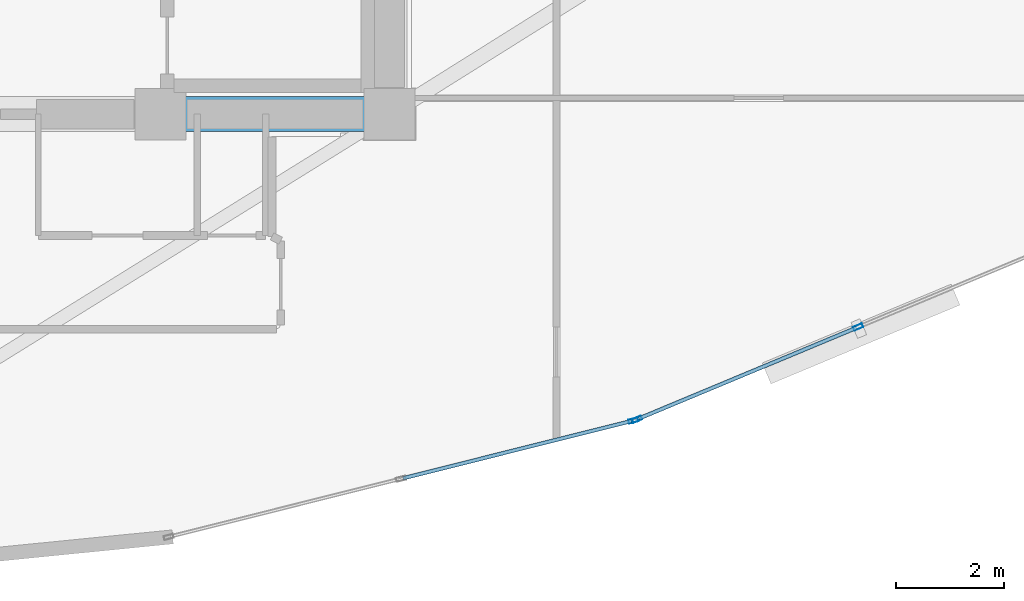
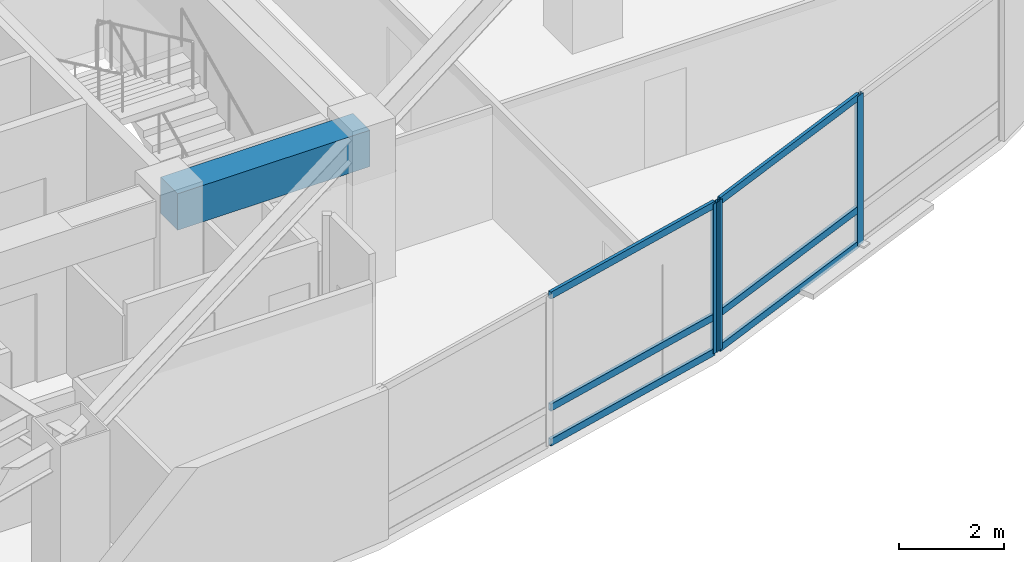
# One storey, part 5 of 17: 9 members, 1 beam, 2 elements without a shape of their own.
"""IFC4 building model written with IfcOpenShell, lengths in metres."""

from ifc_helpers import new_model, si_unit, direction, frame, origin, origin_2d, place, context, subcontext, project, spatial, rectangle, hollow_rectangle, extrude, material, layer, layer_set, material_profile, profile_set, type_object, element, aggregate, save


model = new_model("IFC4")

# Units and contexts
model_context = context("Model", 3, precision=1e-05, world=origin(), true_north=direction((0.0, 1.0)))
body_context = subcontext(model_context, "Body", "Model", "MODEL_VIEW")
ifc_project = project(units=[si_unit("LENGTHUNIT", "METRE"), si_unit("AREAUNIT", "SQUARE_METRE"), si_unit("VOLUMEUNIT", "CUBIC_METRE"), si_unit("PLANEANGLEUNIT", "RADIAN"), si_unit("MASSUNIT", "GRAM", prefix="KILO")], contexts=[model_context])

# Site, building, storey
site_placement = place(None, origin())
site = spatial("IfcSite", under=ifc_project, at=site_placement, CompositionType="ELEMENT")
building_placement = place(site_placement, origin())
building = spatial("IfcBuilding", under=site, at=building_placement, Name="Menara Vayukalpa", CompositionType="ELEMENT")
storey_placement = place(building_placement, frame((0.0, 0.0, 154.320068359375)))
storey = spatial("IfcBuildingStorey", under=building, at=storey_placement, Name="L38", CompositionType="ELEMENT", Elevation=154.320068359375)

# Beam
ifc_material_1 = material(Name="Concrete C60/75", Category="concrete")
ifc_material_profile_1 = material_profile(ifc_material_1, rectangle(XDim=0.64990234375, YDim=0.85009765625, at=origin_2d()), Name="RC 650x850")
ifc_profile_set_1 = profile_set([ifc_material_profile_1], Name="Concrete C60/75")
beam_type = type_object("IfcBeamType", Name="BM-CB1", PredefinedType="BEAM", material=ifc_profile_set_1)
beam_placement = place(storey_placement, frame((29.14990234375, 17.199951171875, 3.074951171875), z_axis=(1.0, 0.0, 0.0), x_axis=(0.0, 1.0, 0.0)))
element("IfcBeam", 1, at=beam_placement, inside=storey, type_object=beam_type, Name="L38 Core Tie Beam CBR3", PredefinedType="BEAM", context=body_context, shape_type="SweptSolid", body=[
    extrude(rectangle(XDim=0.64990234375, YDim=0.85009765625, at=origin_2d()), origin(), (0.0, 0.0, 1.0), 4.25),
])

# Curtain wall, member
ifc_material_2 = material(Name="Anodised Terracotta Aluminium Alloy 6063-T6", Category="masonry")
ifc_layer = layer(ifc_material_2, 0.179931640625)
ifc_layer_set = layer_set([ifc_layer], Name="Anodised Terracotta Aluminium Alloy 6063-T6")
curtain_wall_type = type_object("IfcCurtainWallType", Name="CW-CW4", PredefinedType="USERDEFINED", material=ifc_layer_set)
curtain_wall_1_placement = place(storey_placement, origin())
curtain_wall_1 = element("IfcCurtainWall", 2, at=curtain_wall_1_placement, inside=storey, type_object=curtain_wall_type, Name="L38 Sky Bar Cantilever Glazed Curtain Wall CW4 16", ObjectType="UNITISED", PredefinedType="USERDEFINED")
ifc_material_3 = material(Name="Anodised Terracotta Aluminium Alloy 6063-T6", Category="masonry")
ifc_material_profile_2 = material_profile(ifc_material_3, hollow_rectangle(XDim=0.074951171875, YDim=0.179931640625, WallThickness=0.00390625, at=origin_2d()), Name="ALU 75x180x4")
ifc_profile_set_2 = profile_set([ifc_material_profile_2], Name="Anodised Terracotta Aluminium Alloy 6063-T6")
member_type_1 = type_object("IfcMemberType", Name="CWM-CW4", PredefinedType="MULLION", material=ifc_profile_set_2)
member_1_placement = place(storey_placement, frame((37.92529296875, 11.51318359375, 0.0), z_axis=(0.0, 0.0, 1.0), x_axis=(-0.243112993066, 0.969997975566, 0.0)))
member_1 = element("IfcMember", 3, at=member_1_placement, type_object=member_type_1, Name="CW4 mullion 3", PredefinedType="MULLION", context=body_context, shape_type="SweptSolid", body=[
    extrude(hollow_rectangle(XDim=0.074951171875, YDim=0.179931640625, WallThickness=0.00390625, at=origin_2d()), origin(), (0.0, 0.0, 1.0), 3.5),
])

# Curtain wall, members
curtain_wall_2_placement = place(storey_placement, origin())
curtain_wall_2 = element("IfcCurtainWall", 4, at=curtain_wall_2_placement, inside=storey, type_object=curtain_wall_type, Name="L38 Sky Bar Cantilever Glazed Curtain Wall CW4 17", ObjectType="UNITISED", PredefinedType="USERDEFINED")
member_2_placement = place(storey_placement, frame((37.996337890625, 11.536865234375, 0.0), z_axis=(0.0, 0.0, 1.0), x_axis=(-0.385091352437, 0.922878459104, 0.0)))
member_2 = element("IfcMember", 5, at=member_2_placement, type_object=member_type_1, Name="CW4 mullion 1", PredefinedType="MULLION", context=body_context, shape_type="SweptSolid", body=[
    extrude(hollow_rectangle(XDim=0.074951171875, YDim=0.179931640625, WallThickness=0.00390625, at=origin_2d()), origin(), (0.0, 0.0, 1.0), 3.5),
])
member_3_placement = place(storey_placement, frame((42.098388671875, 13.24853515625, 0.0), z_axis=(0.0, 0.0, 1.0), x_axis=(-0.385091352437, 0.922878459104, 0.0)))
member_3 = element("IfcMember", 6, at=member_3_placement, type_object=member_type_1, Name="CW4 mullion 2", PredefinedType="MULLION", context=body_context, shape_type="SweptSolid", body=[
    extrude(hollow_rectangle(XDim=0.074951171875, YDim=0.179931640625, WallThickness=0.00390625, at=origin_2d()), origin(), (0.0, 0.0, 1.0), 3.5),
])

# Member
ifc_material_4 = material(Name="Anodised Terracotta Aluminium Alloy 6063-T6", Category="masonry")
ifc_material_profile_3 = material_profile(ifc_material_4, hollow_rectangle(XDim=0.070068359375, YDim=0.1650390625, WallThickness=0.00390625, at=origin_2d()), Name="ALU 70x165x4")
ifc_profile_set_3 = profile_set([ifc_material_profile_3], Name="Anodised Terracotta Aluminium Alloy 6063-T6")
member_type_2 = type_object("IfcMemberType", Name="CWT-CW4", PredefinedType="USERDEFINED", material=ifc_profile_set_3)
member_4_placement = place(storey_placement, frame((33.650146484375, 10.441650390625, 0.034912109375), z_axis=(0.969991137753, 0.243140273672, 0.0), x_axis=(-0.243140273672, 0.969991137753, 0.0)))
member_4 = element("IfcMember", 7, at=member_4_placement, type_object=member_type_2, Name="CW4 transom 2.1", ObjectType="TRANSOM", PredefinedType="USERDEFINED", context=body_context, shape_type="SweptSolid", body=[
    extrude(hollow_rectangle(XDim=0.070068359375, YDim=0.1650390625, WallThickness=0.00390625, at=origin_2d()), origin(), (0.0, 0.0, 1.0), 4.369873046875),
])

member_5_placement = place(storey_placement, frame((33.650146484375, 10.441650390625, 0.849853515625), z_axis=(0.969991137753, 0.243140273672, 0.0), x_axis=(-0.243140273672, 0.969991137753, 0.0)))
member_5 = element("IfcMember", 8, at=member_5_placement, type_object=member_type_2, Name="CW4 transom 2.2", ObjectType="TRANSOM", PredefinedType="USERDEFINED", context=body_context, shape_type="SweptSolid", body=[
    extrude(hollow_rectangle(XDim=0.070068359375, YDim=0.1650390625, WallThickness=0.00390625, at=origin_2d()), origin(), (0.0, 0.0, 1.0), 4.369873046875),
])

member_6_placement = place(storey_placement, frame((33.650146484375, 10.441650390625, 3.46484375), z_axis=(0.969991137753, 0.243140273672, 0.0), x_axis=(-0.243140273672, 0.969991137753, 0.0)))
member_6 = element("IfcMember", 9, at=member_6_placement, type_object=member_type_2, Name="CW4 transom 2.3", ObjectType="TRANSOM", PredefinedType="USERDEFINED", context=body_context, shape_type="SweptSolid", body=[
    extrude(hollow_rectangle(XDim=0.070068359375, YDim=0.1650390625, WallThickness=0.00390625, at=origin_2d()), origin(), (0.0, 0.0, 1.0), 4.369873046875),
])

aggregate(curtain_wall_1, [member_1, member_4, member_5, member_6])

member_7_placement = place(storey_placement, frame((38.031005859375, 11.55126953125, 0.034912109375), z_axis=(0.922868513183, 0.385115187152, 0.0), x_axis=(-0.385115187152, 0.922868513183, 0.0)))
member_7 = element("IfcMember", 10, at=member_7_placement, type_object=member_type_2, Name="CW4 transom 1.1", ObjectType="TRANSOM", PredefinedType="USERDEFINED", context=body_context, shape_type="SweptSolid", body=[
    extrude(hollow_rectangle(XDim=0.070068359375, YDim=0.1650390625, WallThickness=0.00390625, at=origin_2d()), origin(), (0.0, 0.0, 1.0), 4.369873046875),
])

member_8_placement = place(storey_placement, frame((38.031005859375, 11.55126953125, 0.849853515625), z_axis=(0.922868513183, 0.385115187152, 0.0), x_axis=(-0.385115187152, 0.922868513183, 0.0)))
member_8 = element("IfcMember", 11, at=member_8_placement, type_object=member_type_2, Name="CW4 transom 1.2", ObjectType="TRANSOM", PredefinedType="USERDEFINED", context=body_context, shape_type="SweptSolid", body=[
    extrude(hollow_rectangle(XDim=0.070068359375, YDim=0.1650390625, WallThickness=0.00390625, at=origin_2d()), origin(), (0.0, 0.0, 1.0), 4.369873046875),
])

member_9_placement = place(storey_placement, frame((38.031005859375, 11.55126953125, 3.46484375), z_axis=(0.922868513183, 0.385115187152, 0.0), x_axis=(-0.385115187152, 0.922868513183, 0.0)))
member_9 = element("IfcMember", 12, at=member_9_placement, type_object=member_type_2, Name="CW4 transom 1.3", ObjectType="TRANSOM", PredefinedType="USERDEFINED", context=body_context, shape_type="SweptSolid", body=[
    extrude(hollow_rectangle(XDim=0.070068359375, YDim=0.1650390625, WallThickness=0.00390625, at=origin_2d()), origin(), (0.0, 0.0, 1.0), 4.369873046875),
])

aggregate(curtain_wall_2, [member_2, member_3, member_7, member_8, member_9])

save(model, "model.ifc")
